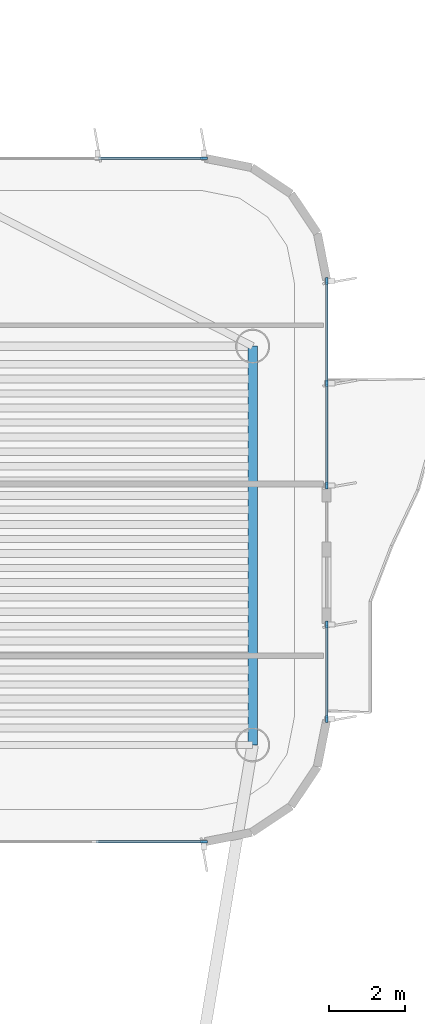
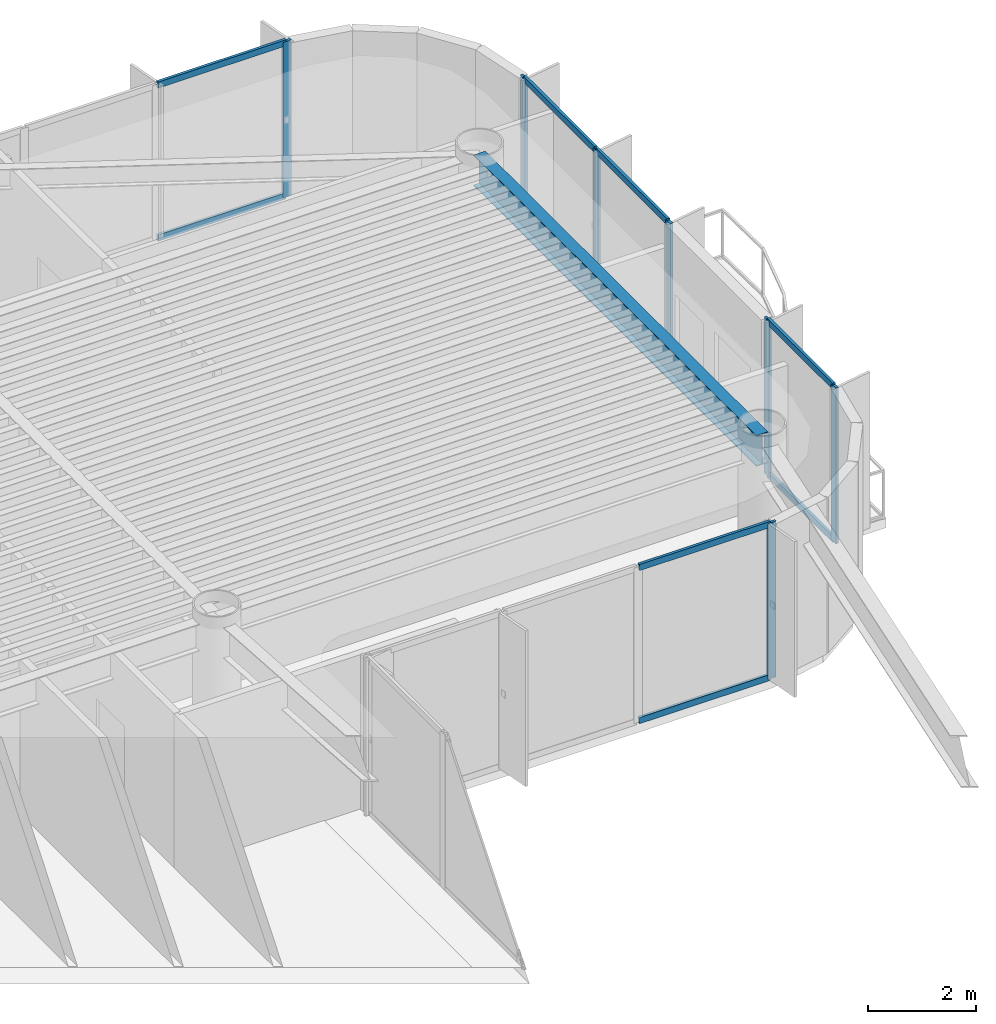
# One storey, part 8 of 15: 17 members, 1 beam, 4 elements without a shape of their own.
"""IFC4 building model written with IfcOpenShell, lengths in metres."""

from ifc_helpers import new_model, si_unit, direction, frame, origin, origin_2d, place, context, subcontext, project, spatial, rectangle, i_section, extrude, source, transform, mapped, material, layer, layer_set, material_profile, profile_set, type_object, element, aggregate, save


model = new_model("IFC4")

# Units and contexts
model_context = context("Model", 3, precision=1e-05, world=origin(), true_north=direction((0.0, 1.0)))
body_context = subcontext(model_context, "Body", "Model", "MODEL_VIEW")
ifc_project = project(units=[si_unit("LENGTHUNIT", "METRE"), si_unit("AREAUNIT", "SQUARE_METRE"), si_unit("VOLUMEUNIT", "CUBIC_METRE"), si_unit("PLANEANGLEUNIT", "RADIAN"), si_unit("MASSUNIT", "GRAM", prefix="KILO")], contexts=[model_context])

# Site, building, storey
site_placement = place(None, origin())
site = spatial("IfcSite", under=ifc_project, at=site_placement, CompositionType="ELEMENT")
building_placement = place(site_placement, origin())
building = spatial("IfcBuilding", under=site, at=building_placement, Name="Brelvock Crest Care Tower", CompositionType="ELEMENT")
storey_placement = place(building_placement, frame((0.0, 0.0, 260.820068359375)))
storey = spatial("IfcBuildingStorey", under=building, at=storey_placement, Name="L66", CompositionType="ELEMENT", Elevation=260.820068359375)

# Beam
ifc_material_1 = material(Name="Steel Grade 350", Category="steel")
ifc_material_profile_1 = material_profile(ifc_material_1, i_section(OverallWidth=0.25, OverallDepth=0.699951171875, WebThickness=0.011962890625, FlangeThickness=0.02001953125, at=origin_2d()), Name="700WB150")
ifc_profile_set_1 = profile_set([ifc_material_profile_1], Name="Steel Grade 350")
beam_type = type_object("IfcBeamType", Name="BM-G4", PredefinedType="BEAM", material=ifc_profile_set_1)
shared_shape_1 = source(origin(), body_context, "Body", "SweptSolid", [
    extrude(i_section(OverallWidth=0.25, OverallDepth=0.699951171875, WebThickness=0.011962890625, FlangeThickness=0.02001953125, at=origin_2d()), origin(), (0.0, 0.0, 1.0), 10.5),
])
beam_placement = place(storey_placement, frame((52.35009765625, 43.949951171875, 3.179931640625), z_axis=(0.0, 1.0, 0.0), x_axis=(-1.0, 0.0, 0.0)))
element("IfcBeam", 1, at=beam_placement, inside=storey, type_object=beam_type, Name="BM-TWR-L66-02", PredefinedType="BEAM", context=body_context, shape_type="MappedRepresentation", body=[
    mapped(shared_shape_1, transform((0.0, 0.0, 0.0), x_axis=(1.0, 0.0, 0.0), y_axis=(0.0, 1.0, 0.0), z_axis=(0.0, 0.0, 1.0), scale=1.0)),
])

# Curtain wall, member
ifc_material_2 = material(Name="Dark Glass Double Glazed Low-E", Category="glass")
ifc_layer = layer(ifc_material_2, 0.239990234375, Name="CWS-5")
ifc_layer_set = layer_set([ifc_layer], Name="Dark Glass Double Glazed Low-E")
curtain_wall_type = type_object("IfcCurtainWallType", Name="CWS-5", PredefinedType="NOTDEFINED", material=ifc_layer_set)
curtain_wall_1_placement = place(storey_placement, origin())
curtain_wall_1 = element("IfcCurtainWall", 2, at=curtain_wall_1_placement, inside=storey, type_object=curtain_wall_type, Name="L66 Curtain Wall E34", PredefinedType="NOTDEFINED")
ifc_material_3 = material(Name="Aluminium 6063-T6", Category="aluminium")
ifc_material_profile_2 = material_profile(ifc_material_3, rectangle(XDim=0.06005859375, YDim=0.179931640625, at=origin_2d()), Name="ALU60x180")
ifc_profile_set_2 = profile_set([ifc_material_profile_2], Name="Aluminium 6063-T6")
member_type_1 = type_object("IfcMemberType", Name="CWM-2", PredefinedType="MULLION", material=ifc_profile_set_2)
shared_shape_2 = source(origin(), body_context, "Body", "SweptSolid", [
    extrude(rectangle(XDim=0.06005859375, YDim=0.179931640625, at=origin_2d()), origin(), (0.0, 0.0, 1.0), 3.530029296875),
])
member_1_placement = place(storey_placement, frame((51.070068359375, 59.39990234375, 0.0), z_axis=(0.0, 0.0, 1.0), x_axis=(0.0, 1.0, 0.0)))
member_1 = element("IfcMember", 3, at=member_1_placement, type_object=member_type_1, Name="CW-5 mullion 4", PredefinedType="MULLION", context=body_context, shape_type="MappedRepresentation", body=[
    mapped(shared_shape_2, transform((0.0, 0.0, 0.0), x_axis=(1.0, 0.0, 0.0), y_axis=(0.0, 1.0, 0.0), z_axis=(0.0, 0.0, 1.0), scale=1.0)),
])

# Curtain wall, members
curtain_wall_2_placement = place(storey_placement, origin())
curtain_wall_2 = element("IfcCurtainWall", 4, at=curtain_wall_2_placement, inside=storey, type_object=curtain_wall_type, Name="L66 Curtain Wall E39A", PredefinedType="NOTDEFINED")
member_2_placement = place(storey_placement, frame((54.300048828125, 56.169921875, 0.0), z_axis=(0.0, 0.0, 1.0), x_axis=(1.0, 0.0, 0.0)))
member_2 = element("IfcMember", 5, at=member_2_placement, type_object=member_type_1, Name="CW-5 mullion 1", PredefinedType="MULLION", context=body_context, shape_type="MappedRepresentation", body=[
    mapped(shared_shape_2, transform((0.0, 0.0, 0.0), x_axis=(1.0, 0.0, 0.0), y_axis=(0.0, 1.0, 0.0), z_axis=(0.0, 0.0, 1.0), scale=1.0)),
])
member_3_placement = place(storey_placement, frame((54.300048828125, 53.47509765625, 0.0), z_axis=(0.0, 0.0, 1.0), x_axis=(1.0, 0.0, 0.0)))
member_3 = element("IfcMember", 6, at=member_3_placement, type_object=member_type_1, Name="CW-5 mullion 2", PredefinedType="MULLION", context=body_context, shape_type="MappedRepresentation", body=[
    mapped(shared_shape_2, transform((0.0, 0.0, 0.0), x_axis=(1.0, 0.0, 0.0), y_axis=(0.0, 1.0, 0.0), z_axis=(0.0, 0.0, 1.0), scale=1.0)),
])
member_4_placement = place(storey_placement, frame((54.300048828125, 50.780029296875, 0.0), z_axis=(0.0, 0.0, 1.0), x_axis=(1.0, 0.0, 0.0)))
member_4 = element("IfcMember", 7, at=member_4_placement, type_object=member_type_1, Name="CW-5 mullion 3", PredefinedType="MULLION", context=body_context, shape_type="MappedRepresentation", body=[
    mapped(shared_shape_2, transform((0.0, 0.0, 0.0), x_axis=(1.0, 0.0, 0.0), y_axis=(0.0, 1.0, 0.0), z_axis=(0.0, 0.0, 1.0), scale=1.0)),
])

curtain_wall_3_placement = place(storey_placement, origin())
curtain_wall_3 = element("IfcCurtainWall", 8, at=curtain_wall_3_placement, inside=storey, type_object=curtain_wall_type, Name="L66 Curtain Wall E39B", PredefinedType="NOTDEFINED")
member_5_placement = place(storey_placement, frame((54.300048828125, 47.1201171875, 0.0), z_axis=(0.0, 0.0, 1.0), x_axis=(1.0, 0.0, 0.0)))
member_5 = element("IfcMember", 9, at=member_5_placement, type_object=member_type_1, Name="CW-5 mullion 1", PredefinedType="MULLION", context=body_context, shape_type="MappedRepresentation", body=[
    mapped(shared_shape_2, transform((0.0, 0.0, 0.0), x_axis=(1.0, 0.0, 0.0), y_axis=(0.0, 1.0, 0.0), z_axis=(0.0, 0.0, 1.0), scale=1.0)),
])
member_6_placement = place(storey_placement, frame((54.300048828125, 44.6298828125, 0.0), z_axis=(0.0, 0.0, 1.0), x_axis=(1.0, 0.0, 0.0)))
member_6 = element("IfcMember", 10, at=member_6_placement, type_object=member_type_1, Name="CW-5 mullion 2", PredefinedType="MULLION", context=body_context, shape_type="MappedRepresentation", body=[
    mapped(shared_shape_2, transform((0.0, 0.0, 0.0), x_axis=(1.0, 0.0, 0.0), y_axis=(0.0, 1.0, 0.0), z_axis=(0.0, 0.0, 1.0), scale=1.0)),
])

curtain_wall_4_placement = place(storey_placement, origin())
curtain_wall_4 = element("IfcCurtainWall", 11, at=curtain_wall_4_placement, inside=storey, type_object=curtain_wall_type, Name="L66 Curtain Wall E44", PredefinedType="NOTDEFINED")
member_7_placement = place(storey_placement, frame((51.070068359375, 41.39990234375, 0.0), z_axis=(0.0, 0.0, 1.0), x_axis=(0.0, -1.0, 0.0)))
member_7 = element("IfcMember", 12, at=member_7_placement, type_object=member_type_1, Name="CW-5 mullion 1", PredefinedType="MULLION", context=body_context, shape_type="MappedRepresentation", body=[
    mapped(shared_shape_2, transform((0.0, 0.0, 0.0), x_axis=(1.0, 0.0, 0.0), y_axis=(0.0, 1.0, 0.0), z_axis=(0.0, 0.0, 1.0), scale=1.0)),
])
ifc_material_profile_3 = material_profile(ifc_material_3, rectangle(XDim=0.06005859375, YDim=0.139892578125, at=origin_2d()), Name="ALU60x140")
ifc_profile_set_3 = profile_set([ifc_material_profile_3], Name="Aluminium 6063-T6")
member_type_2 = type_object("IfcMemberType", Name="CWT-2", PredefinedType="USERDEFINED", material=ifc_profile_set_3)
shared_shape_3 = source(origin(), body_context, "Body", "SweptSolid", [
    extrude(rectangle(XDim=0.06005859375, YDim=0.139892578125, at=origin_2d()), origin(), (0.0, 0.0, 1.0), 2.81005859375),
])
member_8_placement = place(storey_placement, frame((51.0400390625, 41.39990234375, 0.030029296875), z_axis=(-1.0, 0.0, 0.0), x_axis=(0.0, -1.0, 0.0)))
member_8 = element("IfcMember", 13, at=member_8_placement, type_object=member_type_2, Name="CW-5 transom 1.1", ObjectType="TRANSOM", PredefinedType="USERDEFINED", context=body_context, shape_type="MappedRepresentation", body=[
    mapped(shared_shape_3, transform((0.0, 0.0, 0.0), x_axis=(1.0, 0.0, 0.0), y_axis=(0.0, 1.0, 0.0), z_axis=(0.0, 0.0, 1.0), scale=1.0)),
])
member_9_placement = place(storey_placement, frame((51.0400390625, 41.39990234375, 3.5), z_axis=(-1.0, 0.0, 0.0), x_axis=(0.0, -1.0, 0.0)))
member_9 = element("IfcMember", 14, at=member_9_placement, type_object=member_type_2, Name="CW-5 transom 1.2", ObjectType="TRANSOM", PredefinedType="USERDEFINED", context=body_context, shape_type="MappedRepresentation", body=[
    mapped(shared_shape_3, transform((0.0, 0.0, 0.0), x_axis=(1.0, 0.0, 0.0), y_axis=(0.0, 1.0, 0.0), z_axis=(0.0, 0.0, 1.0), scale=1.0)),
])
aggregate(curtain_wall_4, [member_7, member_8, member_9])

# Member
shared_shape_4 = source(origin(), body_context, "Body", "SweptSolid", [
    extrude(rectangle(XDim=0.06005859375, YDim=0.139892578125, at=origin_2d()), origin(), (0.0, 0.0, 1.0), 2.743408203125),
])
member_10_placement = place(storey_placement, frame((48.296630859375, 59.39990234375, 0.030029296875), z_axis=(1.0, 0.0, 0.0), x_axis=(0.0, 1.0, 0.0)))
member_10 = element("IfcMember", 15, at=member_10_placement, type_object=member_type_2, Name="CW-5 transom 3.1", ObjectType="TRANSOM", PredefinedType="USERDEFINED", context=body_context, shape_type="MappedRepresentation", body=[
    mapped(shared_shape_4, transform((0.0, 0.0, 0.0), x_axis=(1.0, 0.0, 0.0), y_axis=(0.0, 1.0, 0.0), z_axis=(0.0, 0.0, 1.0), scale=1.0)),
])

member_11_placement = place(storey_placement, frame((48.296630859375, 59.39990234375, 3.5), z_axis=(1.0, 0.0, 0.0), x_axis=(0.0, 1.0, 0.0)))
member_11 = element("IfcMember", 16, at=member_11_placement, type_object=member_type_2, Name="CW-5 transom 3.2", ObjectType="TRANSOM", PredefinedType="USERDEFINED", context=body_context, shape_type="MappedRepresentation", body=[
    mapped(shared_shape_4, transform((0.0, 0.0, 0.0), x_axis=(1.0, 0.0, 0.0), y_axis=(0.0, 1.0, 0.0), z_axis=(0.0, 0.0, 1.0), scale=1.0)),
])

aggregate(curtain_wall_1, [member_1, member_10, member_11])

shared_shape_5 = source(origin(), body_context, "Body", "SweptSolid", [
    extrude(rectangle(XDim=0.06005859375, YDim=0.139892578125, at=origin_2d()), origin(), (0.0, 0.0, 1.0), 2.43017578125),
])
member_12_placement = place(storey_placement, frame((54.300048828125, 47.090087890625, 0.030029296875), z_axis=(0.0, -1.0, 0.0), x_axis=(1.0, 0.0, 0.0)))
member_12 = element("IfcMember", 17, at=member_12_placement, type_object=member_type_2, Name="CW-5 transom 1.1", ObjectType="TRANSOM", PredefinedType="USERDEFINED", context=body_context, shape_type="MappedRepresentation", body=[
    mapped(shared_shape_5, transform((0.0, 0.0, 0.0), x_axis=(1.0, 0.0, 0.0), y_axis=(0.0, 1.0, 0.0), z_axis=(0.0, 0.0, 1.0), scale=1.0)),
])

member_13_placement = place(storey_placement, frame((54.300048828125, 47.090087890625, 3.5), z_axis=(0.0, -1.0, 0.0), x_axis=(1.0, 0.0, 0.0)))
member_13 = element("IfcMember", 18, at=member_13_placement, type_object=member_type_2, Name="CW-5 transom 1.2", ObjectType="TRANSOM", PredefinedType="USERDEFINED", context=body_context, shape_type="MappedRepresentation", body=[
    mapped(shared_shape_5, transform((0.0, 0.0, 0.0), x_axis=(1.0, 0.0, 0.0), y_axis=(0.0, 1.0, 0.0), z_axis=(0.0, 0.0, 1.0), scale=1.0)),
])

aggregate(curtain_wall_3, [member_5, member_6, member_12, member_13])

shared_shape_6 = source(origin(), body_context, "Body", "SweptSolid", [
    extrude(rectangle(XDim=0.06005859375, YDim=0.139892578125, at=origin_2d()), origin(), (0.0, 0.0, 1.0), 2.635009765625),
])
member_14_placement = place(storey_placement, frame((54.300048828125, 56.139892578125, 0.030029296875), z_axis=(0.0, -1.0, 0.0), x_axis=(1.0, 0.0, 0.0)))
member_14 = element("IfcMember", 19, at=member_14_placement, type_object=member_type_2, Name="CW-5 transom 1.1", ObjectType="TRANSOM", PredefinedType="USERDEFINED", context=body_context, shape_type="MappedRepresentation", body=[
    mapped(shared_shape_6, transform((0.0, 0.0, 0.0), x_axis=(1.0, 0.0, 0.0), y_axis=(0.0, 1.0, 0.0), z_axis=(0.0, 0.0, 1.0), scale=1.0)),
])

member_15_placement = place(storey_placement, frame((54.300048828125, 56.139892578125, 3.5), z_axis=(0.0, -1.0, 0.0), x_axis=(1.0, 0.0, 0.0)))
member_15 = element("IfcMember", 20, at=member_15_placement, type_object=member_type_2, Name="CW-5 transom 1.2", ObjectType="TRANSOM", PredefinedType="USERDEFINED", context=body_context, shape_type="MappedRepresentation", body=[
    mapped(shared_shape_6, transform((0.0, 0.0, 0.0), x_axis=(1.0, 0.0, 0.0), y_axis=(0.0, 1.0, 0.0), z_axis=(0.0, 0.0, 1.0), scale=1.0)),
])

member_16_placement = place(storey_placement, frame((54.300048828125, 53.445068359375, 0.030029296875), z_axis=(0.0, -1.0, 0.0), x_axis=(1.0, 0.0, 0.0)))
member_16 = element("IfcMember", 21, at=member_16_placement, type_object=member_type_2, Name="CW-5 transom 2.1", ObjectType="TRANSOM", PredefinedType="USERDEFINED", context=body_context, shape_type="MappedRepresentation", body=[
    mapped(shared_shape_6, transform((0.0, 0.0, 0.0), x_axis=(1.0, 0.0, 0.0), y_axis=(0.0, 1.0, 0.0), z_axis=(0.0, 0.0, 1.0), scale=1.0)),
])

member_17_placement = place(storey_placement, frame((54.300048828125, 53.445068359375, 3.5), z_axis=(0.0, -1.0, 0.0), x_axis=(1.0, 0.0, 0.0)))
member_17 = element("IfcMember", 22, at=member_17_placement, type_object=member_type_2, Name="CW-5 transom 2.2", ObjectType="TRANSOM", PredefinedType="USERDEFINED", context=body_context, shape_type="MappedRepresentation", body=[
    mapped(shared_shape_6, transform((0.0, 0.0, 0.0), x_axis=(1.0, 0.0, 0.0), y_axis=(0.0, 1.0, 0.0), z_axis=(0.0, 0.0, 1.0), scale=1.0)),
])

aggregate(curtain_wall_2, [member_2, member_3, member_4, member_14, member_15, member_16, member_17])

save(model, "model.ifc")
